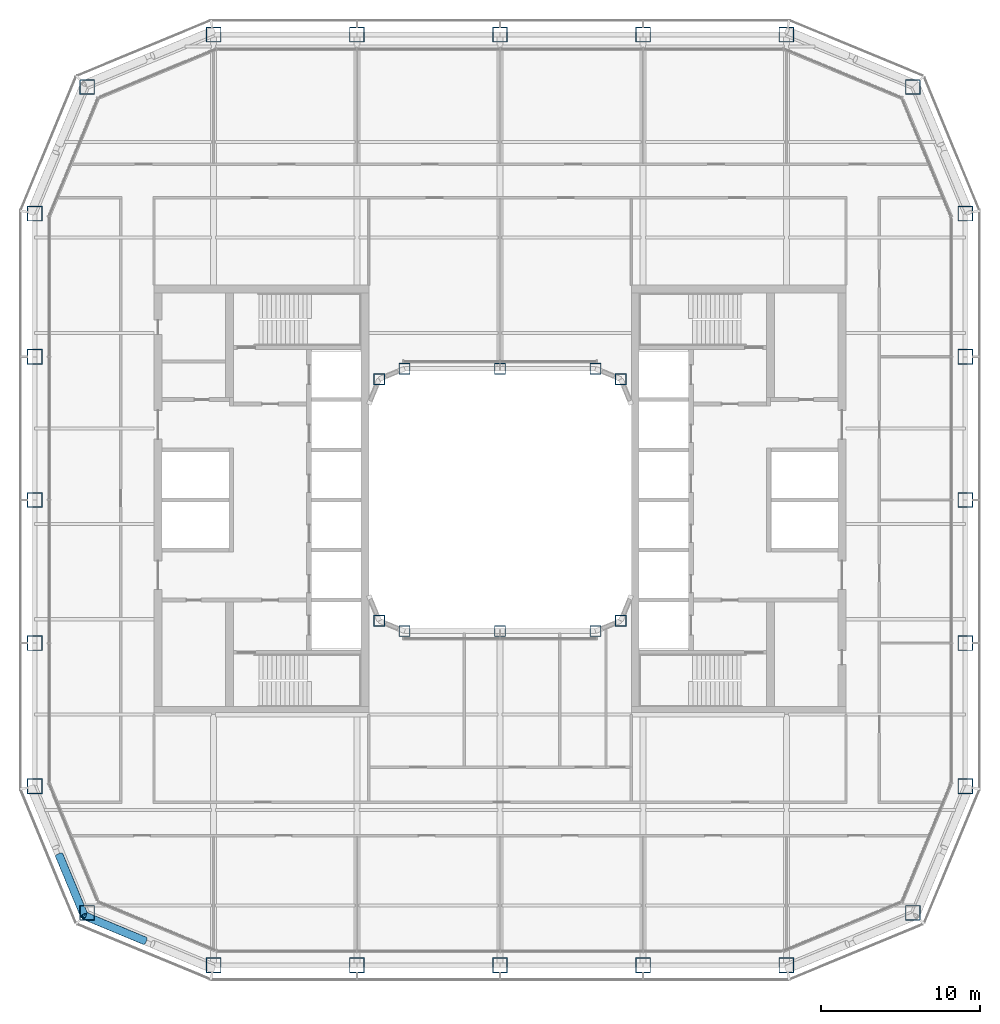
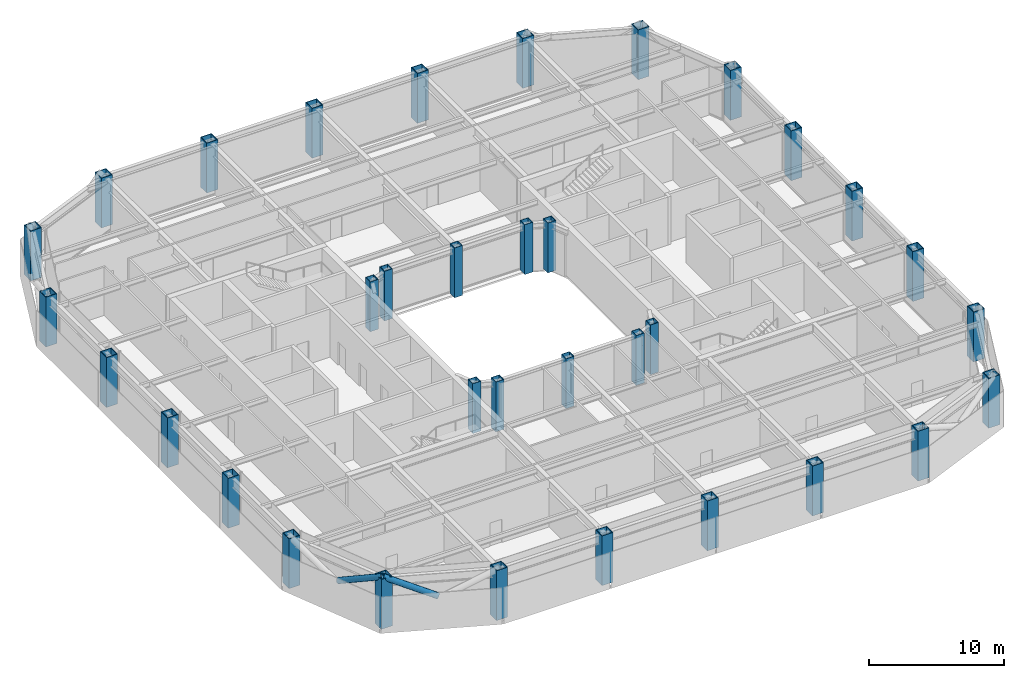
# One storey, part 1 of 21: 34 columns, 2 members.
"""IFC4 building model written with IfcOpenShell, lengths in metres."""

import ifcopenshell
import ifcopenshell.guid

model = None  # the IFC model being written
_history = None  # IfcOwnerHistory: only IFC2X3 demands one
_inside = {}  # id of a spatial element -> (the spatial element, [elements in it])
_under = {}  # id of a project, library or spatial element -> (it, [spatial elements below it])
_declared = {}  # id of a project -> (the project, [libraries it declares])
_typed = {}  # id of a type object -> (the type object, [elements of that type])
_made_of = {}  # id of a material, layer set ... -> (it, [elements and type objects made of it])


def new_model(schema):
    """Start an empty IFC model of exactly this schema.

    Asked for "IFC4X3", IfcOpenShell would pick the latest addendum, in which some entities
    have other attributes; the version numbers below select the first issue.
    IFC2X3 requires an IfcOwnerHistory on every rooted entity: one is made here for all.
    """
    global model, _history
    if schema == "IFC4X3":
        model = ifcopenshell.file(schema_version=(4, 3, 0, 0))
    else:
        model = ifcopenshell.file(schema=schema)
    _inside.clear()
    _under.clear()
    _declared.clear()
    _typed.clear()
    _made_of.clear()
    _history = None
    if model.schema == "IFC2X3":
        org = make("IfcOrganization", Name="unknown")
        user = make(
            "IfcPersonAndOrganization",
            ThePerson=make("IfcPerson", FamilyName="unknown"),
            TheOrganization=org,
        )
        app = make(
            "IfcApplication",
            ApplicationDeveloper=org,
            Version="unknown",
            ApplicationFullName="unknown",
            ApplicationIdentifier="unknown",
        )
        _history = make(
            "IfcOwnerHistory",
            OwningUser=user,
            OwningApplication=app,
            ChangeAction="ADDED",
            CreationDate=0,
        )
    return model


def make(cls, **values):
    """One entity of the class cls with the attributes given. An attribute that is None is left unset."""
    return model.create_entity(
        cls, **{name: value for name, value in values.items() if value is not None}
    )


def rooted(cls, **values):
    """An entity with a GlobalId (a new one), such as an element, a storey or a relation."""
    return make(cls, GlobalId=ifcopenshell.guid.new(), OwnerHistory=_history, **values)


def si_unit(unit_type, name, prefix=None):
    """IfcSIUnit, for example si_unit("LENGTHUNIT", "METRE", prefix="MILLI")."""
    return make("IfcSIUnit", UnitType=unit_type, Prefix=prefix, Name=name)


def assignment(units):
    """IfcUnitAssignment: the units of a project."""
    return None if units is None else make("IfcUnitAssignment", Units=units)


def point(xyz):
    """IfcCartesianPoint."""
    return None if xyz is None else make("IfcCartesianPoint", Coordinates=xyz)


def direction(xyz):
    """IfcDirection."""
    return None if xyz is None else make("IfcDirection", DirectionRatios=xyz)


def frame(location, z_axis=None, x_axis=None):
    """IfcAxis2Placement3D, a coordinate frame: its origin and axes. An axis left out is left unset."""
    return make(
        "IfcAxis2Placement3D",
        Location=point(location),
        Axis=direction(z_axis),
        RefDirection=direction(x_axis),
    )


def frame_2d(location, x_axis=None):
    """IfcAxis2Placement2D, a coordinate frame in the plane: its origin and x axis."""
    return make(
        "IfcAxis2Placement2D", Location=point(location), RefDirection=direction(x_axis)
    )


def origin():
    """The frame at (0, 0, 0) with its axes left unset."""
    return frame((0.0, 0.0, 0.0))


def origin_2d():
    """The frame at (0, 0) in the plane with its x axis left unset."""
    return frame_2d((0.0, 0.0))


def place(relative_to, where):
    """IfcLocalPlacement: puts the frame where relative to a parent placement (None: the world)."""
    return make(
        "IfcLocalPlacement", PlacementRelTo=relative_to, RelativePlacement=where
    )


def context(
    kind, dimensions, precision=None, world=None, true_north=None, identifier=None
):
    """IfcGeometricRepresentationContext, for example the 3D "Model" context."""
    return make(
        "IfcGeometricRepresentationContext",
        ContextIdentifier=identifier,
        ContextType=kind,
        CoordinateSpaceDimension=dimensions,
        Precision=precision,
        WorldCoordinateSystem=world,
        TrueNorth=true_north,
    )


def subcontext(parent, identifier, kind, view, scale=None):
    """IfcGeometricRepresentationSubContext, for example "Body" below "Model"."""
    return make(
        "IfcGeometricRepresentationSubContext",
        ContextIdentifier=identifier,
        ContextType=kind,
        ParentContext=parent,
        TargetScale=scale,
        TargetView=view,
    )


def project(units=None, contexts=None):
    """IfcProject with its units and contexts."""
    return rooted(
        "IfcProject",
        Name="project",
        RepresentationContexts=contexts,
        UnitsInContext=assignment(units),
    )


def spatial(cls, under=None, at=None, **own):
    """A site, building, storey or space (cls), placed at a placement, below another one or the project."""
    s = rooted(cls, ObjectPlacement=at, **own)
    if under is not None:
        _under.setdefault(under.id(), (under, []))[1].append(s)
    return s


def profile(cls, at=None, kind="AREA", **sizes):
    """A parametric profile (cls). Its sizes go by their IFC names, for example OverallWidth=200.0."""
    return make(cls, ProfileType=kind, Position=at, **sizes)


def hollow_rectangle(**sizes):
    """IfcRectangleHollowProfileDef."""
    return profile("IfcRectangleHollowProfileDef", **sizes)


def hollow_circle(**sizes):
    """IfcCircleHollowProfileDef."""
    return profile("IfcCircleHollowProfileDef", **sizes)


def extrude(swept, where, along, depth):
    """IfcExtrudedAreaSolid: the profile swept, set in the frame where, extruded along a direction by depth."""
    return make(
        "IfcExtrudedAreaSolid",
        SweptArea=swept,
        Position=where,
        ExtrudedDirection=direction(along),
        Depth=depth,
    )


def shape(context_of_items, identifier, shape_type, items):
    """IfcShapeRepresentation: the items that make up one representation, for example the "Body"."""
    return make(
        "IfcShapeRepresentation",
        ContextOfItems=context_of_items,
        RepresentationIdentifier=identifier,
        RepresentationType=shape_type,
        Items=items,
    )


def material(Name=None, Category=None):
    """IfcMaterial."""
    return make("IfcMaterial", Name=Name, Category=Category)


def material_profile(
    of_material, cross_section, Name=None, Category=None, Priority=None
):
    """IfcMaterialProfile: a cross section and its material."""
    return make(
        "IfcMaterialProfile",
        Name=Name,
        Material=of_material,
        Profile=cross_section,
        Priority=Priority,
        Category=Category,
    )


def profile_set(profiles, Name=None, composite=None):
    """IfcMaterialProfileSet."""
    return make(
        "IfcMaterialProfileSet",
        Name=Name,
        MaterialProfiles=profiles,
        CompositeProfile=composite,
    )


def made_of(thing, what):
    """Note that an element or type object is made of a material, layer set ...; save() writes the relation."""
    if what is not None:
        _made_of.setdefault(what.id(), (what, []))[1].append(thing)
    return thing


def type_object(cls, material=None, **own):
    """A type object (cls), such as IfcWallType, which elements share."""
    return made_of(rooted(cls, **own), material)


def element(
    cls,
    number,
    at=None,
    inside=None,
    cuts=None,
    type_object=None,
    material=None,
    context=None,
    identifier="Body",
    shape_type=None,
    held_by="IfcProductDefinitionShape",
    body=None,
    shapes=None,
    **own,
):
    """One element of the class cls, such as IfcWall. Its Tag is "e" and its number.

    at: its placement. inside: the storey or other place that contains it. cuts: it is an
    opening in that element (IfcRelVoidsElement). A single representation is given by context,
    identifier, shape_type and body (its items); several are given by shapes. held_by: the class
    of the entity that holds the representations. save() writes the other relations.
    """
    e = rooted(cls, Tag="e%d" % number, ObjectPlacement=at, **own)
    if body is not None:
        shapes = [shape(context, identifier, shape_type, body)]
    if shapes is not None:
        e.Representation = make(held_by, Representations=shapes)
    if inside is not None:
        _inside.setdefault(inside.id(), (inside, []))[1].append(e)
    if cuts is not None:
        rooted(
            "IfcRelVoidsElement", RelatingBuildingElement=cuts, RelatedOpeningElement=e
        )
    if type_object is not None:
        _typed.setdefault(type_object.id(), (type_object, []))[1].append(e)
    return made_of(e, material)


def aggregate(whole, parts):
    """IfcRelAggregates: a whole, such as a stair, and the parts it consists of."""
    return rooted("IfcRelAggregates", RelatingObject=whole, RelatedObjects=parts)


def save(model, path):
    """Write the relations noted so far, then the file.

    IfcRelAggregates (storeys below a building ...), IfcRelContainedInSpatialStructure (elements
    in a storey), IfcRelDefinesByType, IfcRelAssociatesMaterial and IfcRelDeclares: one each for
    every whole, place, type object, material and project.
    """
    for whole, parts in _under.values():
        aggregate(whole, parts)
    for where, things in _inside.values():
        rooted(
            "IfcRelContainedInSpatialStructure",
            RelatedElements=things,
            RelatingStructure=where,
        )
    for kind, things in _typed.values():
        rooted("IfcRelDefinesByType", RelatedObjects=things, RelatingType=kind)
    for what, things in _made_of.values():
        rooted("IfcRelAssociatesMaterial", RelatedObjects=things, RelatingMaterial=what)
    for by, libraries in _declared.values():
        rooted("IfcRelDeclares", RelatingContext=by, RelatedDefinitions=libraries)
    model.write(path)


model = new_model("IFC4")

# Units and contexts
model_context = context("Model", 3, precision=1e-05, world=origin(), true_north=direction((0.0, 1.0)))
body_context = subcontext(model_context, "Body", "Model", "MODEL_VIEW")
ifc_project = project(units=[si_unit("LENGTHUNIT", "METRE"), si_unit("AREAUNIT", "SQUARE_METRE"), si_unit("VOLUMEUNIT", "CUBIC_METRE"), si_unit("PLANEANGLEUNIT", "RADIAN"), si_unit("MASSUNIT", "GRAM", prefix="KILO")], contexts=[model_context])

# Site, building, storey
site_placement = place(None, origin())
site = spatial("IfcSite", under=ifc_project, at=site_placement, CompositionType="ELEMENT")
building_placement = place(site_placement, origin())
building = spatial("IfcBuilding", under=site, at=building_placement, Name="Siwar Civic Tower", CompositionType="ELEMENT")
storey_placement = place(building_placement, frame((0.0, 0.0, 140.699951171875)))
storey = spatial("IfcBuildingStorey", under=building, at=storey_placement, Name="L30", CompositionType="ELEMENT", Elevation=140.699951171875)

# Columns
ifc_material_1 = material(Name="Steel S355", Category="steel")
ifc_material_profile_1 = material_profile(ifc_material_1, hollow_rectangle(XDim=0.949951171875, YDim=0.949951171875, WallThickness=0.054931640625, at=origin_2d()), Name="BOX950x950x55")
ifc_profile_set_1 = profile_set([ifc_material_profile_1], Name="Steel S355")
column_type_1 = type_object("IfcColumnType", Name="STR-COL-BOX950x950x55", PredefinedType="COLUMN", material=ifc_profile_set_1)
for number, where, z_axis, x_axis, name in (
    (1, (-18.0, -29.25, 0.0), (0.0, 0.0, 1.0), (1.0, 0.0, 0.0), "L30/col/S-0"),
    (2, (-9.0, -29.25, 0.0), (0.0, 0.0, 1.0), (1.0, 0.0, 0.0), "L30/col/S-1"),
    (3, (0.0, -29.25, 0.0), (0.0, 0.0, 1.0), (1.0, 0.0, 0.0), "L30/col/S-2"),
    (4, (9.0, -29.25, 0.0), (0.0, 0.0, 1.0), (1.0, 0.0, 0.0), "L30/col/S-3"),
    (5, (18.0, -29.25, 0.0), (0.0, 0.0, 1.0), (1.0, 0.0, 0.0), "L30/col/SE1-0"),
    (6, (25.954833984375, -25.954833984375, 0.0), (0.0, 0.0, 1.0), (1.0, 0.0, 0.0), "L30/col/SE2-0"),
    (7, (29.25, -18.0, 0.0), (0.0, 0.0, 1.0), (1.0, 0.0, 0.0), "L30/col/E-0"),
    (8, (29.25, -9.0, 0.0), (0.0, 0.0, 1.0), (1.0, 0.0, 0.0), "L30/col/E-1"),
    (9, (29.25, 0.0, 0.0), (0.0, 0.0, 1.0), (1.0, 0.0, 0.0), "L30/col/E-2"),
    (10, (29.25, 9.0, 0.0), (0.0, 0.0, 1.0), (1.0, 0.0, 0.0), "L30/col/E-3"),
    (11, (29.25, 18.0, 0.0), (0.0, 0.0, 1.0), (1.0, 0.0, 0.0), "L30/col/NE1-0"),
    (12, (25.954833984375, 25.954833984375, 0.0), (0.0, 0.0, 1.0), (1.0, 0.0, 0.0), "L30/col/NE2-0"),
    (13, (18.0, 29.25, 0.0), (0.0, 0.0, 1.0), (1.0, 0.0, 0.0), "L30/col/N-0"),
    (14, (9.0, 29.25, 0.0), (0.0, 0.0, 1.0), (1.0, 0.0, 0.0), "L30/col/N-1"),
    (15, (0.0, 29.25, 0.0), (0.0, 0.0, 1.0), (1.0, 0.0, 0.0), "L30/col/N-2"),
    (16, (-9.0, 29.25, 0.0), (0.0, 0.0, 1.0), (1.0, 0.0, 0.0), "L30/col/N-3"),
    (17, (-18.0, 29.25, 0.0), (0.0, 0.0, 1.0), (1.0, 0.0, 0.0), "L30/col/NW1-0"),
    (18, (-25.954833984375, 25.954833984375, 0.0), (0.0, 0.0, 1.0), (1.0, 0.0, 0.0), "L30/col/NW2-0"),
    (19, (-29.25, 18.0, 0.0), (0.0, 0.0, 1.0), (1.0, 0.0, 0.0), "L30/col/W-0"),
    (20, (-29.25, 9.0, 0.0), (0.0, 0.0, 1.0), (1.0, 0.0, 0.0), "L30/col/W-1"),
    (21, (-29.25, 0.0, 0.0), (0.0, 0.0, 1.0), (1.0, 0.0, 0.0), "L30/col/W-2"),
    (22, (-29.25, -9.0, 0.0), (0.0, 0.0, 1.0), (1.0, 0.0, 0.0), "L30/col/W-3"),
    (23, (-29.25, -18.0, 0.0), (0.0, 0.0, 1.0), (1.0, 0.0, 0.0), "L30/col/SW1-0"),
    (24, (-25.954833984375, -25.954833984375, 0.0), (0.0, 0.0, 1.0), (1.0, 0.0, 0.0), "L30/col/SW2-0"),
):
    element("IfcColumn", number, at=place(storey_placement, frame(where, z_axis=z_axis, x_axis=x_axis)), inside=storey, type_object=column_type_1, Name=name, PredefinedType="COLUMN", context=body_context, shape_type="SweptSolid", body=[
        extrude(hollow_rectangle(XDim=0.949951171875, YDim=0.949951171875, WallThickness=0.054931640625, at=origin_2d()), origin(), (0.0, 0.0, 1.0), 4.5),
    ])
ifc_material_2 = material(Name="Steel S355", Category="steel")
ifc_material_profile_2 = material_profile(ifc_material_2, hollow_rectangle(XDim=0.699951171875, YDim=0.699951171875, WallThickness=0.0400390625, at=origin_2d()), Name="BOX700x700x40")
ifc_profile_set_2 = profile_set([ifc_material_profile_2], Name="Steel S355")
column_type_2 = type_object("IfcColumnType", Name="STR-ICOL-BOX700x700x40", PredefinedType="COLUMN", material=ifc_profile_set_2)
for number, where, z_axis, x_axis, name in (
    (25, (-7.591064453125, -7.591064453125, 0.0), (0.0, 0.0, 1.0), (1.0, 0.0, 0.0), "L30/col/IS-0"),
    (26, (-6.0, -8.25, 0.0), (0.0, 0.0, 1.0), (1.0, 0.0, 0.0), "L30/col/IS-1"),
    (27, (0.0, -8.25, 0.0), (0.0, 0.0, 1.0), (1.0, 0.0, 0.0), "L30/col/IS-2"),
    (28, (6.0, -8.25, 0.0), (0.0, 0.0, 1.0), (1.0, 0.0, 0.0), "L30/col/IS-3"),
    (29, (7.591064453125, -7.591064453125, 0.0), (0.0, 0.0, 1.0), (1.0, 0.0, 0.0), "L30/col/IS-4"),
    (30, (-7.591064453125, 7.591064453125, 0.0), (0.0, 0.0, 1.0), (1.0, 0.0, 0.0), "L30/col/IN-0"),
    (31, (-6.0, 8.25, 0.0), (0.0, 0.0, 1.0), (1.0, 0.0, 0.0), "L30/col/IN-1"),
    (32, (0.0, 8.25, 0.0), (0.0, 0.0, 1.0), (1.0, 0.0, 0.0), "L30/col/IN-2"),
    (33, (6.0, 8.25, 0.0), (0.0, 0.0, 1.0), (1.0, 0.0, 0.0), "L30/col/IN-3"),
    (34, (7.591064453125, 7.591064453125, 0.0), (0.0, 0.0, 1.0), (1.0, 0.0, 0.0), "L30/col/IN-4"),
):
    element("IfcColumn", number, at=place(storey_placement, frame(where, z_axis=z_axis, x_axis=x_axis)), inside=storey, type_object=column_type_2, Name=name, PredefinedType="COLUMN", context=body_context, shape_type="SweptSolid", body=[
        extrude(hollow_rectangle(XDim=0.699951171875, YDim=0.699951171875, WallThickness=0.0400390625, at=origin_2d()), origin(), (0.0, 0.0, 1.0), 4.5),
    ])

# Members
ifc_material_3 = material(Name="Steel S355", Category="steel")
ifc_material_profile_3 = material_profile(ifc_material_3, hollow_circle(Radius=0.25390625, WallThickness=0.02490234375, at=origin_2d()), Name="CHS508x25")
ifc_profile_set_3 = profile_set([ifc_material_profile_3], Name="Steel S355")
member_type = type_object("IfcMemberType", Name="STR-BR-CHS508x25", PredefinedType="BRACE", material=ifc_profile_set_3)
for number, where, z_axis, x_axis, name in (
    (35, (-22.342529296875, -27.70849609375, 2.390625), (-0.821163134736, 0.341670737976, 0.457112910516), (-0.384154943021, -0.923268638995, 0.0), "L30/brc/BSW1-9-0-3"),
    (36, (-27.70849609375, -22.342529296875, 2.390625), (0.341670737976, -0.821163134736, 0.457112910516), (0.923268638995, 0.384154943021, 0.0), "L30/brc/BSW1-9-0-5"),
):
    element("IfcMember", number, at=place(storey_placement, frame(where, z_axis=z_axis, x_axis=x_axis)), inside=storey, type_object=member_type, Name=name, PredefinedType="BRACE", context=body_context, shape_type="SweptSolid", body=[
        extrude(hollow_circle(Radius=0.25390625, WallThickness=0.02490234375, at=origin_2d()), origin(), (0.0, 0.0, 1.0), 4.614501953125),
    ])

save(model, "model.ifc")
